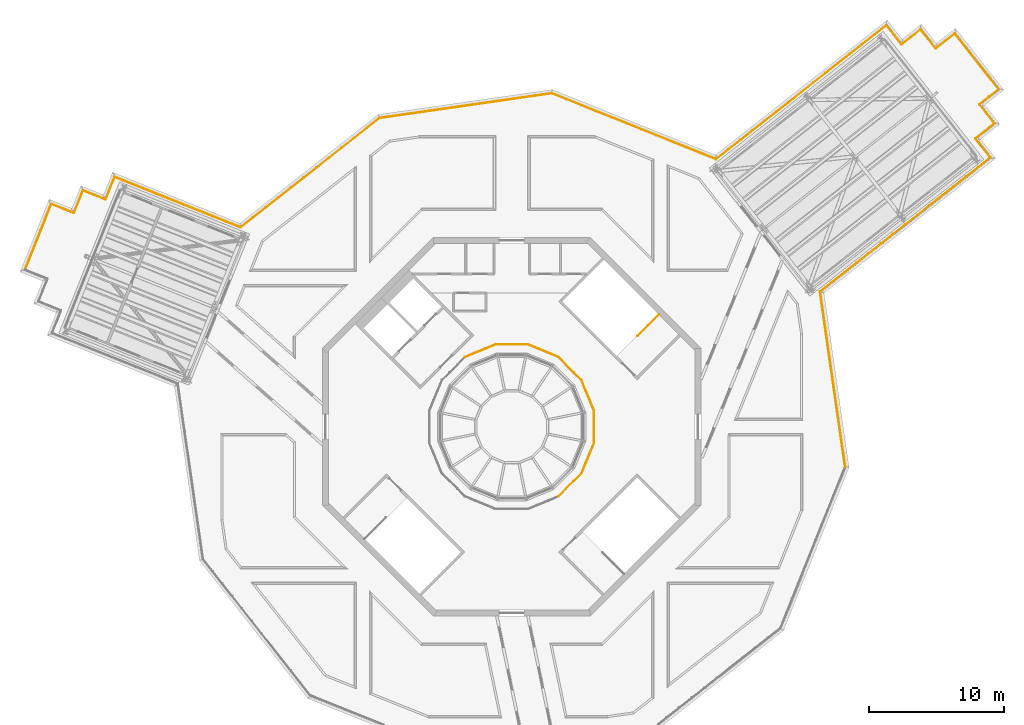
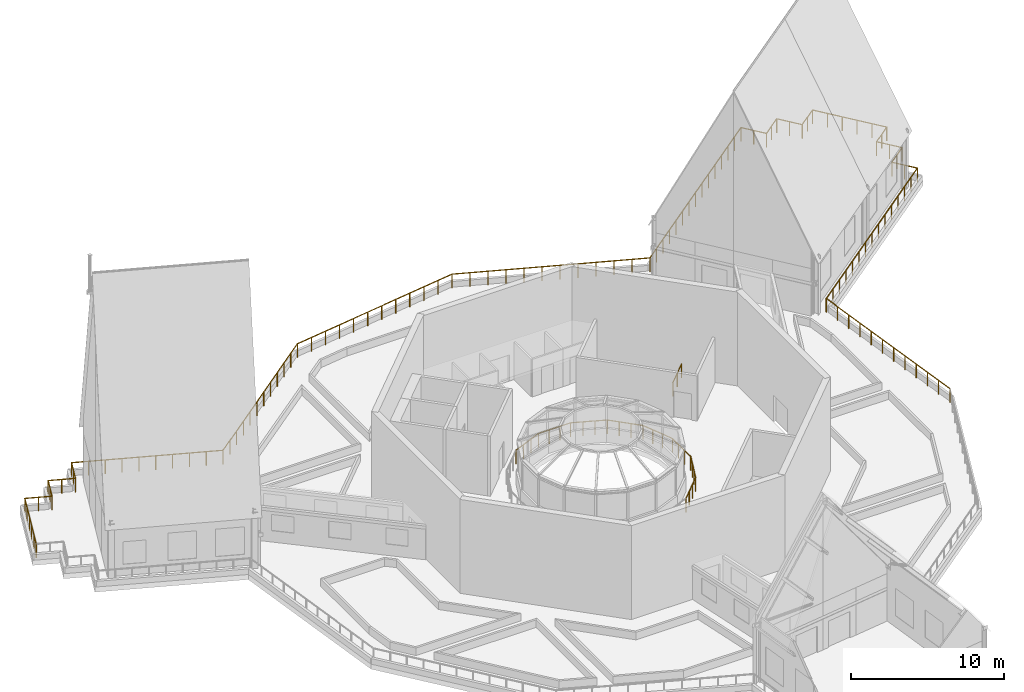
# One storey, part 32 of 32: 30 railings.
"""IFC4 building model written with IfcOpenShell, lengths in metres."""

from ifc_helpers import new_model, si_unit, direction, frame, origin, origin_2d, place, context, subcontext, project, spatial, circle, extrude, material, type_object, element, save


model = new_model("IFC4")

# Units and contexts
model_context = context("Model", 3, precision=1e-05, world=origin(), true_north=direction((0.0, 1.0)))
body_context = subcontext(model_context, "Body", "Model", "MODEL_VIEW")
ifc_project = project(units=[si_unit("LENGTHUNIT", "METRE"), si_unit("AREAUNIT", "SQUARE_METRE"), si_unit("VOLUMEUNIT", "CUBIC_METRE"), si_unit("PLANEANGLEUNIT", "RADIAN"), si_unit("MASSUNIT", "GRAM", prefix="KILO")], contexts=[model_context])

# Site, building, storey
site_placement = place(None, origin())
site = spatial("IfcSite", under=ifc_project, at=site_placement, CompositionType="ELEMENT")
building_placement = place(site_placement, origin())
building = spatial("IfcBuilding", under=site, at=building_placement, Name="Verdalira Terraces Hotel", CompositionType="ELEMENT")
storey_placement = place(building_placement, frame((0.0, 0.0, 315.0)))
storey = spatial("IfcBuildingStorey", under=building, at=storey_placement, Name="L78", CompositionType="ELEMENT", Elevation=315.0)

# Railings
ifc_material_1 = material(Name="Clear laminated glass", Category="glass")
railing_type_1 = type_object("IfcRailingType", Name="Crown glass guard 1120", PredefinedType="GUARDRAIL", material=ifc_material_1)
railing_1_placement = place(storey_placement, frame((-9.763428, 22.823486, 0.0)))
element("IfcRailing", 1, at=railing_1_placement, inside=storey, type_object=railing_type_1, Name="Crown guard", PredefinedType="GUARDRAIL", context=body_context, shape_type="SweptSolid", body=[
    extrude(circle(Radius=0.023926, at=origin_2d()), frame((0.0, 0.0, 1.096191), z_axis=(-0.786286617, -0.617861923, 0.0), x_axis=(0.617861923, -0.786286617, 0.0)), (0.0, 0.0, 1.0), 13.08667),
    extrude(circle(Radius=0.020996, at=origin_2d()), origin(), (0.0, 0.0, 1.0), 1.072021),
    extrude(circle(Radius=0.020996, at=origin_2d()), frame((-0.935547, -0.735107, 0.0)), (0.0, 0.0, 1.0), 1.072021),
    extrude(circle(Radius=0.020996, at=origin_2d()), frame((-1.87085, -1.470215, 0.0)), (0.0, 0.0, 1.0), 1.072021),
    extrude(circle(Radius=0.020996, at=origin_2d()), frame((-2.806396, -2.205078, 0.0)), (0.0, 0.0, 1.0), 1.072021),
    extrude(circle(Radius=0.020996, at=origin_2d()), frame((-3.741699, -2.940186, 0.0)), (0.0, 0.0, 1.0), 1.072021),
    extrude(circle(Radius=0.020996, at=origin_2d()), frame((-4.677246, -3.675293, 0.0)), (0.0, 0.0, 1.0), 1.072021),
    extrude(circle(Radius=0.020996, at=origin_2d()), frame((-5.612549, -4.4104, 0.0)), (0.0, 0.0, 1.0), 1.072021),
    extrude(circle(Radius=0.020996, at=origin_2d()), frame((-6.548096, -5.145508, 0.0)), (0.0, 0.0, 1.0), 1.072021),
    extrude(circle(Radius=0.020996, at=origin_2d()), frame((-7.483398, -5.880615, 0.0)), (0.0, 0.0, 1.0), 1.072021),
    extrude(circle(Radius=0.020996, at=origin_2d()), frame((-8.418945, -6.615479, 0.0)), (0.0, 0.0, 1.0), 1.072021),
    extrude(circle(Radius=0.020996, at=origin_2d()), frame((-9.354248, -7.350586, 0.0)), (0.0, 0.0, 1.0), 1.072021),
    extrude(circle(Radius=0.020996, at=origin_2d()), frame((-10.289795, -8.085693, 0.0)), (0.0, 0.0, 1.0), 1.072021),
])
railing_2_placement = place(storey_placement, frame((-20.053223, 14.737793, 0.0)))
element("IfcRailing", 2, at=railing_2_placement, inside=storey, type_object=railing_type_1, Name="Crown guard", PredefinedType="GUARDRAIL", context=body_context, shape_type="SweptSolid", body=[
    extrude(circle(Radius=0.023926, at=origin_2d()), frame((0.0, 0.0, 1.096191), z_axis=(-0.928221143, 0.37202891, 0.0), x_axis=(-0.37202891, -0.928221143, 0.0)), (0.0, 0.0, 1.0), 10.023438),
    extrude(circle(Radius=0.020996, at=origin_2d()), origin(), (0.0, 0.0, 1.0), 1.072021),
    extrude(circle(Radius=0.020996, at=origin_2d()), frame((-1.033691, 0.414307, 0.0)), (0.0, 0.0, 1.0), 1.072021),
    extrude(circle(Radius=0.020996, at=origin_2d()), frame((-2.067627, 0.828613, 0.0)), (0.0, 0.0, 1.0), 1.072021),
    extrude(circle(Radius=0.020996, at=origin_2d()), frame((-3.101318, 1.24292, 0.0)), (0.0, 0.0, 1.0), 1.072021),
    extrude(circle(Radius=0.020996, at=origin_2d()), frame((-4.13501, 1.657227, 0.0)), (0.0, 0.0, 1.0), 1.072021),
    extrude(circle(Radius=0.020996, at=origin_2d()), frame((-5.168945, 2.071777, 0.0)), (0.0, 0.0, 1.0), 1.072021),
    extrude(circle(Radius=0.020996, at=origin_2d()), frame((-6.202637, 2.486084, 0.0)), (0.0, 0.0, 1.0), 1.072021),
    extrude(circle(Radius=0.020996, at=origin_2d()), frame((-7.236328, 2.900391, 0.0)), (0.0, 0.0, 1.0), 1.072021),
    extrude(circle(Radius=0.020996, at=origin_2d()), frame((-8.270264, 3.314697, 0.0)), (0.0, 0.0, 1.0), 1.072021),
    extrude(circle(Radius=0.020996, at=origin_2d()), frame((-9.303955, 3.729004, 0.0)), (0.0, 0.0, 1.0), 1.072021),
])
railing_3_placement = place(storey_placement, frame((-29.357178, 18.466797, 0.0)))
element("IfcRailing", 3, at=railing_3_placement, inside=storey, type_object=railing_type_1, Name="Crown guard", PredefinedType="GUARDRAIL", context=body_context, shape_type="SweptSolid", body=[
    extrude(circle(Radius=0.023926, at=origin_2d()), frame((0.0, 0.0, 1.096191), z_axis=(-0.372021953, -0.928223931, 0.0), x_axis=(0.928223931, -0.372021953, 0.0)), (0.0, 0.0, 1.0), 1.800049),
    extrude(circle(Radius=0.020996, at=origin_2d()), origin(), (0.0, 0.0, 1.0), 1.072021),
    extrude(circle(Radius=0.020996, at=origin_2d()), frame((-0.334961, -0.835449, 0.0)), (0.0, 0.0, 1.0), 1.072021),
    extrude(circle(Radius=0.020996, at=origin_2d()), frame((-0.669678, -1.670898, 0.0)), (0.0, 0.0, 1.0), 1.072021),
])
railing_4_placement = place(storey_placement, frame((-30.026855, 16.795898, 0.0)))
element("IfcRailing", 4, at=railing_4_placement, inside=storey, type_object=railing_type_1, Name="Crown guard", PredefinedType="GUARDRAIL", context=body_context, shape_type="SweptSolid", body=[
    extrude(circle(Radius=0.023926, at=origin_2d()), frame((0.0, 0.0, 1.096191), z_axis=(-0.928205157, 0.372068792, 0.0), x_axis=(-0.372068792, -0.928205157, 0.0)), (0.0, 0.0, 1.0), 1.799805),
    extrude(circle(Radius=0.020996, at=origin_2d()), origin(), (0.0, 0.0, 1.0), 1.072021),
    extrude(circle(Radius=0.020996, at=origin_2d()), frame((-0.835449, 0.334961, 0.0)), (0.0, 0.0, 1.0), 1.072021),
    extrude(circle(Radius=0.020996, at=origin_2d()), frame((-1.670654, 0.669678, 0.0)), (0.0, 0.0, 1.0), 1.072021),
])
railing_5_placement = place(storey_placement, frame((-31.69751, 17.465576, 0.0)))
element("IfcRailing", 5, at=railing_5_placement, inside=storey, type_object=railing_type_1, Name="Crown guard", PredefinedType="GUARDRAIL", context=body_context, shape_type="SweptSolid", body=[
    extrude(circle(Radius=0.023926, at=origin_2d()), frame((0.0, 0.0, 1.096191), z_axis=(-0.372068792, -0.928205157, 0.0), x_axis=(0.928205157, -0.372068792, 0.0)), (0.0, 0.0, 1.0), 1.799805),
    extrude(circle(Radius=0.020996, at=origin_2d()), origin(), (0.0, 0.0, 1.0), 1.072021),
    extrude(circle(Radius=0.020996, at=origin_2d()), frame((-0.334961, -0.835449, 0.0)), (0.0, 0.0, 1.0), 1.072021),
    extrude(circle(Radius=0.020996, at=origin_2d()), frame((-0.669678, -1.670654, 0.0)), (0.0, 0.0, 1.0), 1.072021),
])
railing_6_placement = place(storey_placement, frame((-32.367188, 15.794922, 0.0)))
element("IfcRailing", 6, at=railing_6_placement, inside=storey, type_object=railing_type_1, Name="Crown guard", PredefinedType="GUARDRAIL", context=body_context, shape_type="SweptSolid", body=[
    extrude(circle(Radius=0.023926, at=origin_2d()), frame((0.0, 0.0, 1.096191), z_axis=(-0.928270761, 0.371905089, 0.0), x_axis=(-0.371905089, -0.928270761, 0.0)), (0.0, 0.0, 1.0), 1.800049),
    extrude(circle(Radius=0.020996, at=origin_2d()), origin(), (0.0, 0.0, 1.0), 1.072021),
    extrude(circle(Radius=0.020996, at=origin_2d()), frame((-0.835449, 0.334717, 0.0)), (0.0, 0.0, 1.0), 1.072021),
    extrude(circle(Radius=0.020996, at=origin_2d()), frame((-1.670898, 0.669434, 0.0)), (0.0, 0.0, 1.0), 1.072021),
])
railing_7_placement = place(storey_placement, frame((-34.038086, 16.464355, 0.0)))
element("IfcRailing", 7, at=railing_7_placement, inside=storey, type_object=railing_type_1, Name="Crown guard", PredefinedType="GUARDRAIL", context=body_context, shape_type="SweptSolid", body=[
    extrude(circle(Radius=0.023926, at=origin_2d()), frame((0.0, 0.0, 1.096191), z_axis=(-0.372001129, -0.928232277, 0.0), x_axis=(0.928232277, -0.372001129, 0.0)), (0.0, 0.0, 1.0), 5.239746),
    extrude(circle(Radius=0.020996, at=origin_2d()), origin(), (0.0, 0.0, 1.0), 1.072021),
    extrude(circle(Radius=0.020996, at=origin_2d()), frame((-0.389893, -0.972656, 0.0)), (0.0, 0.0, 1.0), 1.072021),
    extrude(circle(Radius=0.020996, at=origin_2d()), frame((-0.779785, -1.945557, 0.0)), (0.0, 0.0, 1.0), 1.072021),
    extrude(circle(Radius=0.020996, at=origin_2d()), frame((-1.169434, -2.918213, 0.0)), (0.0, 0.0, 1.0), 1.072021),
    extrude(circle(Radius=0.020996, at=origin_2d()), frame((-1.559326, -3.891113, 0.0)), (0.0, 0.0, 1.0), 1.072021),
    extrude(circle(Radius=0.020996, at=origin_2d()), frame((-1.949219, -4.86377, 0.0)), (0.0, 0.0, 1.0), 1.072021),
])
railing_8_placement = place(storey_placement, frame((24.647461, -2.956543, 0.0)))
element("IfcRailing", 8, at=railing_8_placement, inside=storey, type_object=railing_type_1, Name="Crown guard", PredefinedType="GUARDRAIL", context=body_context, shape_type="SweptSolid", body=[
    extrude(circle(Radius=0.023926, at=origin_2d()), frame((0.0, 0.0, 1.096191), z_axis=(-0.141933252, 0.989876231, 0.0), x_axis=(-0.989876231, -0.141933252, 0.0)), (0.0, 0.0, 1.0), 13.08667),
    extrude(circle(Radius=0.020996, at=origin_2d()), origin(), (0.0, 0.0, 1.0), 1.072021),
    extrude(circle(Radius=0.020996, at=origin_2d()), frame((-0.168945, 1.177734, 0.0)), (0.0, 0.0, 1.0), 1.072021),
    extrude(circle(Radius=0.020996, at=origin_2d()), frame((-0.337646, 2.355225, 0.0)), (0.0, 0.0, 1.0), 1.072021),
    extrude(circle(Radius=0.020996, at=origin_2d()), frame((-0.506592, 3.532959, 0.0)), (0.0, 0.0, 1.0), 1.072021),
    extrude(circle(Radius=0.020996, at=origin_2d()), frame((-0.675537, 4.710693, 0.0)), (0.0, 0.0, 1.0), 1.072021),
    extrude(circle(Radius=0.020996, at=origin_2d()), frame((-0.844238, 5.888184, 0.0)), (0.0, 0.0, 1.0), 1.072021),
    extrude(circle(Radius=0.020996, at=origin_2d()), frame((-1.013184, 7.065918, 0.0)), (0.0, 0.0, 1.0), 1.072021),
    extrude(circle(Radius=0.020996, at=origin_2d()), frame((-1.181885, 8.243408, 0.0)), (0.0, 0.0, 1.0), 1.072021),
    extrude(circle(Radius=0.020996, at=origin_2d()), frame((-1.35083, 9.421143, 0.0)), (0.0, 0.0, 1.0), 1.072021),
    extrude(circle(Radius=0.020996, at=origin_2d()), frame((-1.519775, 10.598877, 0.0)), (0.0, 0.0, 1.0), 1.072021),
    extrude(circle(Radius=0.020996, at=origin_2d()), frame((-1.688477, 11.776367, 0.0)), (0.0, 0.0, 1.0), 1.072021),
    extrude(circle(Radius=0.020996, at=origin_2d()), frame((-1.857422, 12.954102, 0.0)), (0.0, 0.0, 1.0), 1.072021),
])
railing_9_placement = place(storey_placement, frame((22.790039, 9.997559, 0.0)))
element("IfcRailing", 9, at=railing_9_placement, inside=storey, type_object=railing_type_1, Name="Crown guard", PredefinedType="GUARDRAIL", context=body_context, shape_type="SweptSolid", body=[
    extrude(circle(Radius=0.023926, at=origin_2d()), frame((0.0, 0.0, 1.096191), z_axis=(0.786287144, 0.617861253, 0.0), x_axis=(-0.617861253, 0.786287144, 0.0)), (0.0, 0.0, 1.0), 16.023193),
    extrude(circle(Radius=0.020996, at=origin_2d()), origin(), (0.0, 0.0, 1.0), 1.072021),
    extrude(circle(Radius=0.020996, at=origin_2d()), frame((0.899902, 0.707031, 0.0)), (0.0, 0.0, 1.0), 1.072021),
    extrude(circle(Radius=0.020996, at=origin_2d()), frame((1.799805, 1.414307, 0.0)), (0.0, 0.0, 1.0), 1.072021),
    extrude(circle(Radius=0.020996, at=origin_2d()), frame((2.699707, 2.121582, 0.0)), (0.0, 0.0, 1.0), 1.072021),
    extrude(circle(Radius=0.020996, at=origin_2d()), frame((3.599609, 2.828613, 0.0)), (0.0, 0.0, 1.0), 1.072021),
    extrude(circle(Radius=0.020996, at=origin_2d()), frame((4.499512, 3.535645, 0.0)), (0.0, 0.0, 1.0), 1.072021),
    extrude(circle(Radius=0.020996, at=origin_2d()), frame((5.399414, 4.24292, 0.0)), (0.0, 0.0, 1.0), 1.072021),
    extrude(circle(Radius=0.020996, at=origin_2d()), frame((6.299316, 4.950195, 0.0)), (0.0, 0.0, 1.0), 1.072021),
    extrude(circle(Radius=0.020996, at=origin_2d()), frame((7.199463, 5.657227, 0.0)), (0.0, 0.0, 1.0), 1.072021),
    extrude(circle(Radius=0.020996, at=origin_2d()), frame((8.099365, 6.364502, 0.0)), (0.0, 0.0, 1.0), 1.072021),
    extrude(circle(Radius=0.020996, at=origin_2d()), frame((8.999268, 7.071533, 0.0)), (0.0, 0.0, 1.0), 1.072021),
    extrude(circle(Radius=0.020996, at=origin_2d()), frame((9.89917, 7.778809, 0.0)), (0.0, 0.0, 1.0), 1.072021),
    extrude(circle(Radius=0.020996, at=origin_2d()), frame((10.799072, 8.48584, 0.0)), (0.0, 0.0, 1.0), 1.072021),
    extrude(circle(Radius=0.020996, at=origin_2d()), frame((11.698975, 9.192871, 0.0)), (0.0, 0.0, 1.0), 1.072021),
    extrude(circle(Radius=0.020996, at=origin_2d()), frame((12.598877, 9.900146, 0.0)), (0.0, 0.0, 1.0), 1.072021),
])
railing_10_placement = place(storey_placement, frame((35.388916, 19.897705, 0.0)))
element("IfcRailing", 10, at=railing_10_placement, inside=storey, type_object=railing_type_1, Name="Crown guard", PredefinedType="GUARDRAIL", context=body_context, shape_type="SweptSolid", body=[
    extrude(circle(Radius=0.023926, at=origin_2d()), frame((0.0, 0.0, 1.096191), z_axis=(-0.617839523, 0.786304218, 0.0), x_axis=(-0.786304218, -0.617839523, 0.0)), (0.0, 0.0, 1.0), 1.799805),
    extrude(circle(Radius=0.020996, at=origin_2d()), origin(), (0.0, 0.0, 1.0), 1.072021),
    extrude(circle(Radius=0.020996, at=origin_2d()), frame((-0.556152, 0.70752, 0.0)), (0.0, 0.0, 1.0), 1.072021),
    extrude(circle(Radius=0.020996, at=origin_2d()), frame((-1.112061, 1.415283, 0.0)), (0.0, 0.0, 1.0), 1.072021),
])
railing_11_placement = place(storey_placement, frame((34.276855, 21.312988, 0.0)))
element("IfcRailing", 11, at=railing_11_placement, inside=storey, type_object=railing_type_1, Name="Crown guard", PredefinedType="GUARDRAIL", context=body_context, shape_type="SweptSolid", body=[
    extrude(circle(Radius=0.023926, at=origin_2d()), frame((0.0, 0.0, 1.096191), z_axis=(0.786238324, 0.617923375, 0.0), x_axis=(-0.617923375, 0.786238324, 0.0)), (0.0, 0.0, 1.0), 1.800049),
    extrude(circle(Radius=0.020996, at=origin_2d()), origin(), (0.0, 0.0, 1.0), 1.072021),
    extrude(circle(Radius=0.020996, at=origin_2d()), frame((0.70752, 0.556152, 0.0)), (0.0, 0.0, 1.0), 1.072021),
    extrude(circle(Radius=0.020996, at=origin_2d()), frame((1.415283, 1.112305, 0.0)), (0.0, 0.0, 1.0), 1.072021),
])
railing_12_placement = place(storey_placement, frame((35.692139, 22.425293, 0.0)))
element("IfcRailing", 12, at=railing_12_placement, inside=storey, type_object=railing_type_1, Name="Crown guard", PredefinedType="GUARDRAIL", context=body_context, shape_type="SweptSolid", body=[
    extrude(circle(Radius=0.023926, at=origin_2d()), frame((0.0, 0.0, 1.096191), z_axis=(-0.617839523, 0.786304218, 0.0), x_axis=(-0.786304218, -0.617839523, 0.0)), (0.0, 0.0, 1.0), 1.799805),
    extrude(circle(Radius=0.020996, at=origin_2d()), origin(), (0.0, 0.0, 1.0), 1.072021),
    extrude(circle(Radius=0.020996, at=origin_2d()), frame((-0.556152, 0.70752, 0.0)), (0.0, 0.0, 1.0), 1.072021),
    extrude(circle(Radius=0.020996, at=origin_2d()), frame((-1.112061, 1.415283, 0.0)), (0.0, 0.0, 1.0), 1.072021),
])
railing_13_placement = place(storey_placement, frame((34.580078, 23.840576, 0.0)))
element("IfcRailing", 13, at=railing_13_placement, inside=storey, type_object=railing_type_1, Name="Crown guard", PredefinedType="GUARDRAIL", context=body_context, shape_type="SweptSolid", body=[
    extrude(circle(Radius=0.023926, at=origin_2d()), frame((0.0, 0.0, 1.096191), z_axis=(0.786304218, 0.617839523, 0.0), x_axis=(-0.617839523, 0.786304218, 0.0)), (0.0, 0.0, 1.0), 1.799805),
    extrude(circle(Radius=0.020996, at=origin_2d()), origin(), (0.0, 0.0, 1.0), 1.072021),
    extrude(circle(Radius=0.020996, at=origin_2d()), frame((0.70752, 0.556152, 0.0)), (0.0, 0.0, 1.0), 1.072021),
    extrude(circle(Radius=0.020996, at=origin_2d()), frame((1.415283, 1.112061, 0.0)), (0.0, 0.0, 1.0), 1.072021),
])
railing_14_placement = place(storey_placement, frame((35.995361, 24.952637, 0.0)))
element("IfcRailing", 14, at=railing_14_placement, inside=storey, type_object=railing_type_1, Name="Crown guard", PredefinedType="GUARDRAIL", context=body_context, shape_type="SweptSolid", body=[
    extrude(circle(Radius=0.023926, at=origin_2d()), frame((0.0, 0.0, 1.096191), z_axis=(-0.617835955, 0.786307022, 0.0), x_axis=(-0.786307022, -0.617835955, 0.0)), (0.0, 0.0, 1.0), 5.240234),
    extrude(circle(Radius=0.020996, at=origin_2d()), origin(), (0.0, 0.0, 1.0), 1.072021),
    extrude(circle(Radius=0.020996, at=origin_2d()), frame((-0.647461, 0.823975, 0.0)), (0.0, 0.0, 1.0), 1.072021),
    extrude(circle(Radius=0.020996, at=origin_2d()), frame((-1.294922, 1.648193, 0.0)), (0.0, 0.0, 1.0), 1.072021),
    extrude(circle(Radius=0.020996, at=origin_2d()), frame((-1.942627, 2.472168, 0.0)), (0.0, 0.0, 1.0), 1.072021),
    extrude(circle(Radius=0.020996, at=origin_2d()), frame((-2.590088, 3.296387, 0.0)), (0.0, 0.0, 1.0), 1.072021),
    extrude(circle(Radius=0.020996, at=origin_2d()), frame((-3.237549, 4.120361, 0.0)), (0.0, 0.0, 1.0), 1.072021),
])
railing_15_placement = place(storey_placement, frame((32.757812, 29.072998, 0.0)))
element("IfcRailing", 15, at=railing_15_placement, inside=storey, type_object=railing_type_1, Name="Crown guard", PredefinedType="GUARDRAIL", context=body_context, shape_type="SweptSolid", body=[
    extrude(circle(Radius=0.023926, at=origin_2d()), frame((0.0, 0.0, 1.096191), z_axis=(-0.786290103, -0.617857487, 0.0), x_axis=(0.617857487, -0.786290103, 0.0)), (0.0, 0.0, 1.0), 1.800293),
    extrude(circle(Radius=0.020996, at=origin_2d()), origin(), (0.0, 0.0, 1.0), 1.072021),
    extrude(circle(Radius=0.020996, at=origin_2d()), frame((-0.707764, -0.556152, 0.0)), (0.0, 0.0, 1.0), 1.072021),
    extrude(circle(Radius=0.020996, at=origin_2d()), frame((-1.415527, -1.112305, 0.0)), (0.0, 0.0, 1.0), 1.072021),
])
railing_16_placement = place(storey_placement, frame((31.342285, 27.960693, 0.0)))
element("IfcRailing", 16, at=railing_16_placement, inside=storey, type_object=railing_type_1, Name="Crown guard", PredefinedType="GUARDRAIL", context=body_context, shape_type="SweptSolid", body=[
    extrude(circle(Radius=0.023926, at=origin_2d()), frame((0.0, 0.0, 1.096191), z_axis=(-0.617773633, 0.786355987, 0.0), x_axis=(-0.786355987, -0.617773633, 0.0)), (0.0, 0.0, 1.0), 1.800049),
    extrude(circle(Radius=0.020996, at=origin_2d()), origin(), (0.0, 0.0, 1.0), 1.072021),
    extrude(circle(Radius=0.020996, at=origin_2d()), frame((-0.556152, 0.707764, 0.0)), (0.0, 0.0, 1.0), 1.072021),
    extrude(circle(Radius=0.020996, at=origin_2d()), frame((-1.112061, 1.415527, 0.0)), (0.0, 0.0, 1.0), 1.072021),
])
railing_17_placement = place(storey_placement, frame((30.230225, 29.376221, 0.0)))
element("IfcRailing", 17, at=railing_17_placement, inside=storey, type_object=railing_type_1, Name="Crown guard", PredefinedType="GUARDRAIL", context=body_context, shape_type="SweptSolid", body=[
    extrude(circle(Radius=0.023926, at=origin_2d()), frame((0.0, 0.0, 1.096191), z_axis=(-0.786238324, -0.617923375, 0.0), x_axis=(0.617923375, -0.786238324, 0.0)), (0.0, 0.0, 1.0), 1.800049),
    extrude(circle(Radius=0.020996, at=origin_2d()), origin(), (0.0, 0.0, 1.0), 1.072021),
    extrude(circle(Radius=0.020996, at=origin_2d()), frame((-0.70752, -0.556152, 0.0)), (0.0, 0.0, 1.0), 1.072021),
    extrude(circle(Radius=0.020996, at=origin_2d()), frame((-1.415283, -1.112305, 0.0)), (0.0, 0.0, 1.0), 1.072021),
])
railing_18_placement = place(storey_placement, frame((28.814941, 28.263916, 0.0)))
element("IfcRailing", 18, at=railing_18_placement, inside=storey, type_object=railing_type_1, Name="Crown guard", PredefinedType="GUARDRAIL", context=body_context, shape_type="SweptSolid", body=[
    extrude(circle(Radius=0.023926, at=origin_2d()), frame((0.0, 0.0, 1.096191), z_axis=(-0.617839523, 0.786304218, 0.0), x_axis=(-0.786304218, -0.617839523, 0.0)), (0.0, 0.0, 1.0), 1.799805),
    extrude(circle(Radius=0.020996, at=origin_2d()), origin(), (0.0, 0.0, 1.0), 1.072021),
    extrude(circle(Radius=0.020996, at=origin_2d()), frame((-0.556152, 0.70752, 0.0)), (0.0, 0.0, 1.0), 1.072021),
    extrude(circle(Radius=0.020996, at=origin_2d()), frame((-1.112061, 1.415283, 0.0)), (0.0, 0.0, 1.0), 1.072021),
])
railing_19_placement = place(storey_placement, frame((27.702881, 29.679199, 0.0)))
element("IfcRailing", 19, at=railing_19_placement, inside=storey, type_object=railing_type_1, Name="Crown guard", PredefinedType="GUARDRAIL", context=body_context, shape_type="SweptSolid", body=[
    extrude(circle(Radius=0.023926, at=origin_2d()), frame((0.0, 0.0, 1.096191), z_axis=(-0.78629296, -0.617853851, 0.0), x_axis=(0.617853851, -0.78629296, 0.0)), (0.0, 0.0, 1.0), 16.023438),
    extrude(circle(Radius=0.020996, at=origin_2d()), origin(), (0.0, 0.0, 1.0), 1.072021),
    extrude(circle(Radius=0.020996, at=origin_2d()), frame((-0.899902, -0.707031, 0.0)), (0.0, 0.0, 1.0), 1.072021),
    extrude(circle(Radius=0.020996, at=origin_2d()), frame((-1.799805, -1.414307, 0.0)), (0.0, 0.0, 1.0), 1.072021),
    extrude(circle(Radius=0.020996, at=origin_2d()), frame((-2.699707, -2.121582, 0.0)), (0.0, 0.0, 1.0), 1.072021),
    extrude(circle(Radius=0.020996, at=origin_2d()), frame((-3.599854, -2.828613, 0.0)), (0.0, 0.0, 1.0), 1.072021),
    extrude(circle(Radius=0.020996, at=origin_2d()), frame((-4.499756, -3.535645, 0.0)), (0.0, 0.0, 1.0), 1.072021),
    extrude(circle(Radius=0.020996, at=origin_2d()), frame((-5.399658, -4.24292, 0.0)), (0.0, 0.0, 1.0), 1.072021),
    extrude(circle(Radius=0.020996, at=origin_2d()), frame((-6.299561, -4.950195, 0.0)), (0.0, 0.0, 1.0), 1.072021),
    extrude(circle(Radius=0.020996, at=origin_2d()), frame((-7.199463, -5.657227, 0.0)), (0.0, 0.0, 1.0), 1.072021),
    extrude(circle(Radius=0.020996, at=origin_2d()), frame((-8.099365, -6.364502, 0.0)), (0.0, 0.0, 1.0), 1.072021),
    extrude(circle(Radius=0.020996, at=origin_2d()), frame((-8.999268, -7.071533, 0.0)), (0.0, 0.0, 1.0), 1.072021),
    extrude(circle(Radius=0.020996, at=origin_2d()), frame((-9.899414, -7.778809, 0.0)), (0.0, 0.0, 1.0), 1.072021),
    extrude(circle(Radius=0.020996, at=origin_2d()), frame((-10.799316, -8.48584, 0.0)), (0.0, 0.0, 1.0), 1.072021),
    extrude(circle(Radius=0.020996, at=origin_2d()), frame((-11.699219, -9.192871, 0.0)), (0.0, 0.0, 1.0), 1.072021),
    extrude(circle(Radius=0.020996, at=origin_2d()), frame((-12.599121, -9.900146, 0.0)), (0.0, 0.0, 1.0), 1.072021),
])
railing_20_placement = place(storey_placement, frame((15.10376, 19.779053, 0.0)))
element("IfcRailing", 20, at=railing_20_placement, inside=storey, type_object=railing_type_1, Name="Crown guard", PredefinedType="GUARDRAIL", context=body_context, shape_type="SweptSolid", body=[
    extrude(circle(Radius=0.023926, at=origin_2d()), frame((0.0, 0.0, 1.096191), z_axis=(-0.928225589, 0.372017817, 0.0), x_axis=(-0.372017817, -0.928225589, 0.0)), (0.0, 0.0, 1.0), 13.086426),
    extrude(circle(Radius=0.020996, at=origin_2d()), origin(), (0.0, 0.0, 1.0), 1.072021),
    extrude(circle(Radius=0.020996, at=origin_2d()), frame((-1.104248, 0.442627, 0.0)), (0.0, 0.0, 1.0), 1.072021),
    extrude(circle(Radius=0.020996, at=origin_2d()), frame((-2.208496, 0.885254, 0.0)), (0.0, 0.0, 1.0), 1.072021),
    extrude(circle(Radius=0.020996, at=origin_2d()), frame((-3.312988, 1.327637, 0.0)), (0.0, 0.0, 1.0), 1.072021),
    extrude(circle(Radius=0.020996, at=origin_2d()), frame((-4.417236, 1.770264, 0.0)), (0.0, 0.0, 1.0), 1.072021),
    extrude(circle(Radius=0.020996, at=origin_2d()), frame((-5.521484, 2.212891, 0.0)), (0.0, 0.0, 1.0), 1.072021),
    extrude(circle(Radius=0.020996, at=origin_2d()), frame((-6.625732, 2.655518, 0.0)), (0.0, 0.0, 1.0), 1.072021),
    extrude(circle(Radius=0.020996, at=origin_2d()), frame((-7.72998, 3.098145, 0.0)), (0.0, 0.0, 1.0), 1.072021),
    extrude(circle(Radius=0.020996, at=origin_2d()), frame((-8.834229, 3.540771, 0.0)), (0.0, 0.0, 1.0), 1.072021),
    extrude(circle(Radius=0.020996, at=origin_2d()), frame((-9.938721, 3.983154, 0.0)), (0.0, 0.0, 1.0), 1.072021),
    extrude(circle(Radius=0.020996, at=origin_2d()), frame((-11.042969, 4.425781, 0.0)), (0.0, 0.0, 1.0), 1.072021),
    extrude(circle(Radius=0.020996, at=origin_2d()), frame((-12.147217, 4.868408, 0.0)), (0.0, 0.0, 1.0), 1.072021),
])
railing_21_placement = place(storey_placement, frame((2.956543, 24.647461, 0.0)))
element("IfcRailing", 21, at=railing_21_placement, inside=storey, type_object=railing_type_1, Name="Crown guard", PredefinedType="GUARDRAIL", context=body_context, shape_type="SweptSolid", body=[
    extrude(circle(Radius=0.023926, at=origin_2d()), frame((0.0, 0.0, 1.096191), z_axis=(-0.98987488, -0.141942673, 0.0), x_axis=(0.141942673, -0.98987488, 0.0)), (0.0, 0.0, 1.0), 12.850098),
    extrude(circle(Radius=0.020996, at=origin_2d()), origin(), (0.0, 0.0, 1.0), 1.072021),
    extrude(circle(Radius=0.020996, at=origin_2d()), frame((-1.15625, -0.165771, 0.0)), (0.0, 0.0, 1.0), 1.072021),
    extrude(circle(Radius=0.020996, at=origin_2d()), frame((-2.312744, -0.331543, 0.0)), (0.0, 0.0, 1.0), 1.072021),
    extrude(circle(Radius=0.020996, at=origin_2d()), frame((-3.468994, -0.497559, 0.0)), (0.0, 0.0, 1.0), 1.072021),
    extrude(circle(Radius=0.020996, at=origin_2d()), frame((-4.625488, -0.66333, 0.0)), (0.0, 0.0, 1.0), 1.072021),
    extrude(circle(Radius=0.020996, at=origin_2d()), frame((-5.781738, -0.829102, 0.0)), (0.0, 0.0, 1.0), 1.072021),
    extrude(circle(Radius=0.020996, at=origin_2d()), frame((-6.938232, -0.994873, 0.0)), (0.0, 0.0, 1.0), 1.072021),
    extrude(circle(Radius=0.020996, at=origin_2d()), frame((-8.094482, -1.160645, 0.0)), (0.0, 0.0, 1.0), 1.072021),
    extrude(circle(Radius=0.020996, at=origin_2d()), frame((-9.250977, -1.326416, 0.0)), (0.0, 0.0, 1.0), 1.072021),
    extrude(circle(Radius=0.020996, at=origin_2d()), frame((-10.407227, -1.492432, 0.0)), (0.0, 0.0, 1.0), 1.072021),
    extrude(circle(Radius=0.020996, at=origin_2d()), frame((-11.563721, -1.658203, 0.0)), (0.0, 0.0, 1.0), 1.072021),
    extrude(circle(Radius=0.020996, at=origin_2d()), frame((-12.719971, -1.823975, 0.0)), (0.0, 0.0, 1.0), 1.072021),
])
ifc_material_2 = material(Name="Stainless steel", Category="steel")
railing_type_2 = type_object("IfcRailingType", Name="Lantern surround guard 1120", PredefinedType="GUARDRAIL", material=ifc_material_2)
railing_22_placement = place(storey_placement, frame((6.080811, 1.209717, 0.0)))
element("IfcRailing", 22, at=railing_22_placement, inside=storey, type_object=railing_type_2, Name="Lantern surround guard", PredefinedType="GUARDRAIL", context=body_context, shape_type="SweptSolid", body=[
    extrude(circle(Radius=0.023926, at=origin_2d()), frame((0.0, 0.0, 1.096191), z_axis=(-0.382708332, 0.923869218, 0.0), x_axis=(-0.923869218, -0.382708332, 0.0)), (0.0, 0.0, 1.0), 2.418945),
    extrude(circle(Radius=0.020996, at=origin_2d()), origin(), (0.0, 0.0, 1.0), 1.072021),
    extrude(circle(Radius=0.020996, at=origin_2d()), frame((-0.308594, 0.744873, 0.0)), (0.0, 0.0, 1.0), 1.072021),
    extrude(circle(Radius=0.020996, at=origin_2d()), frame((-0.617188, 1.48999, 0.0)), (0.0, 0.0, 1.0), 1.072021),
    extrude(circle(Radius=0.020996, at=origin_2d()), frame((-0.925781, 2.234863, 0.0)), (0.0, 0.0, 1.0), 1.072021),
])
railing_23_placement = place(storey_placement, frame((5.155029, 3.44458, 0.0)))
element("IfcRailing", 23, at=railing_23_placement, inside=storey, type_object=railing_type_2, Name="Lantern surround guard", PredefinedType="GUARDRAIL", context=body_context, shape_type="SweptSolid", body=[
    extrude(circle(Radius=0.023926, at=origin_2d()), frame((0.0, 0.0, 1.096191), z_axis=(-0.707106781, 0.707106781, 0.0), x_axis=(-0.707106781, -0.707106781, 0.0)), (0.0, 0.0, 1.0), 2.418945),
    extrude(circle(Radius=0.020996, at=origin_2d()), origin(), (0.0, 0.0, 1.0), 1.072021),
    extrude(circle(Radius=0.020996, at=origin_2d()), frame((-0.570068, 0.570068, 0.0)), (0.0, 0.0, 1.0), 1.072021),
    extrude(circle(Radius=0.020996, at=origin_2d()), frame((-1.140381, 1.140381, 0.0)), (0.0, 0.0, 1.0), 1.072021),
    extrude(circle(Radius=0.020996, at=origin_2d()), frame((-1.710449, 1.710449, 0.0)), (0.0, 0.0, 1.0), 1.072021),
])
railing_24_placement = place(storey_placement, frame((3.44458, 5.155029, 0.0)))
element("IfcRailing", 24, at=railing_24_placement, inside=storey, type_object=railing_type_2, Name="Lantern surround guard", PredefinedType="GUARDRAIL", context=body_context, shape_type="SweptSolid", body=[
    extrude(circle(Radius=0.023926, at=origin_2d()), frame((0.0, 0.0, 1.096191), z_axis=(-0.923869218, 0.382708332, 0.0), x_axis=(-0.382708332, -0.923869218, 0.0)), (0.0, 0.0, 1.0), 2.418945),
    extrude(circle(Radius=0.020996, at=origin_2d()), origin(), (0.0, 0.0, 1.0), 1.072021),
    extrude(circle(Radius=0.020996, at=origin_2d()), frame((-0.744873, 0.308594, 0.0)), (0.0, 0.0, 1.0), 1.072021),
    extrude(circle(Radius=0.020996, at=origin_2d()), frame((-1.48999, 0.617188, 0.0)), (0.0, 0.0, 1.0), 1.072021),
    extrude(circle(Radius=0.020996, at=origin_2d()), frame((-2.234863, 0.925781, 0.0)), (0.0, 0.0, 1.0), 1.072021),
])
railing_25_placement = place(storey_placement, frame((1.209717, 6.080811, 0.0)))
element("IfcRailing", 25, at=railing_25_placement, inside=storey, type_object=railing_type_2, Name="Lantern surround guard", PredefinedType="GUARDRAIL", context=body_context, shape_type="SweptSolid", body=[
    extrude(circle(Radius=0.023926, at=origin_2d()), frame((0.0, 0.0, 1.096191), z_axis=(-1.0, 0.0, 0.0), x_axis=(0.0, -1.0, 0.0)), (0.0, 0.0, 1.0), 2.419434),
    extrude(circle(Radius=0.020996, at=origin_2d()), origin(), (0.0, 0.0, 1.0), 1.072021),
    extrude(circle(Radius=0.020996, at=origin_2d()), frame((-0.806396, 0.0, 0.0)), (0.0, 0.0, 1.0), 1.072021),
    extrude(circle(Radius=0.020996, at=origin_2d()), frame((-1.613037, 0.0, 0.0)), (0.0, 0.0, 1.0), 1.072021),
    extrude(circle(Radius=0.020996, at=origin_2d()), frame((-2.419434, 0.0, 0.0)), (0.0, 0.0, 1.0), 1.072021),
])
railing_26_placement = place(storey_placement, frame((-1.209717, 6.080811, 0.0)))
element("IfcRailing", 26, at=railing_26_placement, inside=storey, type_object=railing_type_2, Name="Lantern surround guard", PredefinedType="GUARDRAIL", context=body_context, shape_type="SweptSolid", body=[
    extrude(circle(Radius=0.023926, at=origin_2d()), frame((0.0, 0.0, 1.096191), z_axis=(-0.923869218, -0.382708332, 0.0), x_axis=(0.382708332, -0.923869218, 0.0)), (0.0, 0.0, 1.0), 2.418945),
    extrude(circle(Radius=0.020996, at=origin_2d()), origin(), (0.0, 0.0, 1.0), 1.072021),
    extrude(circle(Radius=0.020996, at=origin_2d()), frame((-0.744873, -0.308594, 0.0)), (0.0, 0.0, 1.0), 1.072021),
    extrude(circle(Radius=0.020996, at=origin_2d()), frame((-1.48999, -0.617188, 0.0)), (0.0, 0.0, 1.0), 1.072021),
    extrude(circle(Radius=0.020996, at=origin_2d()), frame((-2.234863, -0.925781, 0.0)), (0.0, 0.0, 1.0), 1.072021),
])
railing_27_placement = place(storey_placement, frame((3.44458, -5.155029, 0.0)))
element("IfcRailing", 27, at=railing_27_placement, inside=storey, type_object=railing_type_2, Name="Lantern surround guard", PredefinedType="GUARDRAIL", context=body_context, shape_type="SweptSolid", body=[
    extrude(circle(Radius=0.023926, at=origin_2d()), frame((0.0, 0.0, 1.096191), z_axis=(0.707106781, 0.707106781, 0.0), x_axis=(-0.707106781, 0.707106781, 0.0)), (0.0, 0.0, 1.0), 2.418945),
    extrude(circle(Radius=0.020996, at=origin_2d()), origin(), (0.0, 0.0, 1.0), 1.072021),
    extrude(circle(Radius=0.020996, at=origin_2d()), frame((0.570068, 0.570068, 0.0)), (0.0, 0.0, 1.0), 1.072021),
    extrude(circle(Radius=0.020996, at=origin_2d()), frame((1.140381, 1.140381, 0.0)), (0.0, 0.0, 1.0), 1.072021),
    extrude(circle(Radius=0.020996, at=origin_2d()), frame((1.710449, 1.710449, 0.0)), (0.0, 0.0, 1.0), 1.072021),
])
railing_28_placement = place(storey_placement, frame((5.155029, -3.44458, 0.0)))
element("IfcRailing", 28, at=railing_28_placement, inside=storey, type_object=railing_type_2, Name="Lantern surround guard", PredefinedType="GUARDRAIL", context=body_context, shape_type="SweptSolid", body=[
    extrude(circle(Radius=0.023926, at=origin_2d()), frame((0.0, 0.0, 1.096191), z_axis=(0.382708332, 0.923869218, 0.0), x_axis=(-0.923869218, 0.382708332, 0.0)), (0.0, 0.0, 1.0), 2.418945),
    extrude(circle(Radius=0.020996, at=origin_2d()), origin(), (0.0, 0.0, 1.0), 1.072021),
    extrude(circle(Radius=0.020996, at=origin_2d()), frame((0.308594, 0.744873, 0.0)), (0.0, 0.0, 1.0), 1.072021),
    extrude(circle(Radius=0.020996, at=origin_2d()), frame((0.617188, 1.48999, 0.0)), (0.0, 0.0, 1.0), 1.072021),
    extrude(circle(Radius=0.020996, at=origin_2d()), frame((0.925781, 2.234863, 0.0)), (0.0, 0.0, 1.0), 1.072021),
])
railing_29_placement = place(storey_placement, frame((6.080811, -1.209717, 0.0)))
element("IfcRailing", 29, at=railing_29_placement, inside=storey, type_object=railing_type_2, Name="Lantern surround guard", PredefinedType="GUARDRAIL", context=body_context, shape_type="SweptSolid", body=[
    extrude(circle(Radius=0.023926, at=origin_2d()), frame((0.0, 0.0, 1.096191), z_axis=(0.0, 1.0, 0.0), x_axis=(-1.0, 0.0, 0.0)), (0.0, 0.0, 1.0), 2.419434),
    extrude(circle(Radius=0.020996, at=origin_2d()), origin(), (0.0, 0.0, 1.0), 1.072021),
    extrude(circle(Radius=0.020996, at=origin_2d()), frame((0.0, 0.806396, 0.0)), (0.0, 0.0, 1.0), 1.072021),
    extrude(circle(Radius=0.020996, at=origin_2d()), frame((0.0, 1.613037, 0.0)), (0.0, 0.0, 1.0), 1.072021),
    extrude(circle(Radius=0.020996, at=origin_2d()), frame((0.0, 2.419434, 0.0)), (0.0, 0.0, 1.0), 1.072021),
])
ifc_material_3 = material(Name="Stainless steel", Category="steel")
railing_type_3 = type_object("IfcRailingType", Name="Stair guard 1100", PredefinedType="GUARDRAIL", material=ifc_material_3)
railing_30_placement = place(storey_placement, frame((10.871826, 8.290771, 0.0)))
element("IfcRailing", 30, at=railing_30_placement, inside=storey, type_object=railing_type_3, Name="L78 ST1 top well guard 1", PredefinedType="GUARDRAIL", context=body_context, shape_type="SweptSolid", body=[
    extrude(circle(Radius=0.023926, at=origin_2d()), frame((0.0, 0.0, 1.076172), z_axis=(-0.70716164, -0.707051918, 0.0), x_axis=(0.707051918, -0.70716164, 0.0)), (0.0, 0.0, 1.0), 2.225098),
    extrude(circle(Radius=0.020996, at=origin_2d()), origin(), (0.0, 0.0, 1.0), 1.052002),
    extrude(circle(Radius=0.020996, at=origin_2d()), frame((-0.786621, -0.786621, 0.0)), (0.0, 0.0, 1.0), 1.052002),
    extrude(circle(Radius=0.020996, at=origin_2d()), frame((-1.573486, -1.573242, 0.0)), (0.0, 0.0, 1.0), 1.052002),
])

save(model, "model.ifc")
